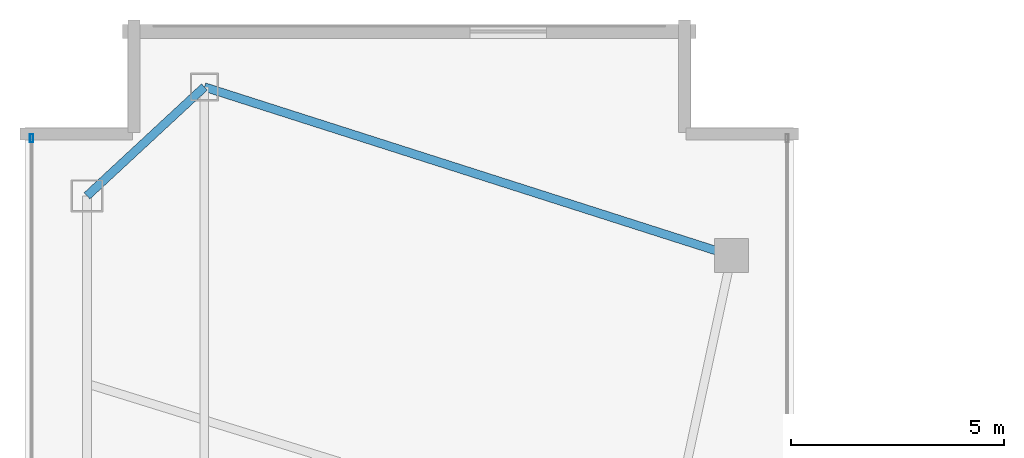
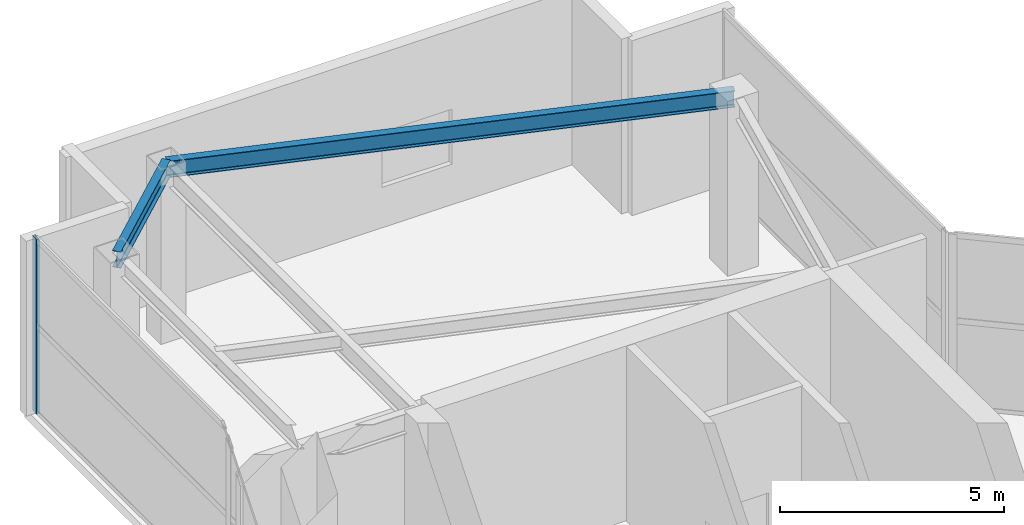
# One storey, part 16 of 21: 2 beams, 1 member, 1 element without a shape of its own.
"""IFC4 building model written with IfcOpenShell, lengths in metres."""

from ifc_helpers import new_model, si_unit, direction, frame, origin, origin_2d, place, context, subcontext, project, spatial, hollow_rectangle, i_section, extrude, material, layer, layer_set, material_profile, profile_set, type_object, element, aggregate, save


model = new_model("IFC4")

# Units and contexts
model_context = context("Model", 3, precision=1e-05, world=origin(), true_north=direction((0.0, 1.0)))
body_context = subcontext(model_context, "Body", "Model", "MODEL_VIEW")
ifc_project = project(units=[si_unit("LENGTHUNIT", "METRE"), si_unit("AREAUNIT", "SQUARE_METRE"), si_unit("VOLUMEUNIT", "CUBIC_METRE"), si_unit("PLANEANGLEUNIT", "RADIAN"), si_unit("MASSUNIT", "GRAM", prefix="KILO")], contexts=[model_context])

# Site, building, storey
site_placement = place(None, origin())
site = spatial("IfcSite", under=ifc_project, at=site_placement, CompositionType="ELEMENT")
building_placement = place(site_placement, origin())
building = spatial("IfcBuilding", under=site, at=building_placement, Name="Calvorn Quay Hotel", CompositionType="ELEMENT")
storey_placement = place(building_placement, frame((0.0, 0.0, 320.5)))
storey = spatial("IfcBuildingStorey", under=building, at=storey_placement, Name="L79", CompositionType="ELEMENT", Elevation=320.5)

# Beams
ifc_material_1 = material(Name="Steel Q355B", Category="steel")
ifc_material_profile_1 = material_profile(ifc_material_1, i_section(OverallWidth=0.199951171875, OverallDepth=0.449951171875, WebThickness=0.009033203125, FlangeThickness=0.013916015625, FilletRadius=0.01611328125, at=origin_2d()), Name="HN450x200x9x14")
ifc_profile_set_1 = profile_set([ifc_material_profile_1], Name="Steel Q355B")
beam_type = type_object("IfcBeamType", Name="BM-SPANDREL-Z3", PredefinedType="SPANDREL", material=ifc_profile_set_1)
beam_1_placement = place(storey_placement, frame((1.449951171875, 47.0, 4.514892578125), z_axis=(0.733261665538, 0.679946563969, 0.0), x_axis=(-0.679946563969, 0.733261665538, 0.0)))
element("IfcBeam", 1, at=beam_1_placement, inside=storey, type_object=beam_type, Name="Beam BSP-L79-W5", PredefinedType="SPANDREL", context=body_context, shape_type="SweptSolid", body=[
    extrude(i_section(OverallWidth=0.199951171875, OverallDepth=0.449951171875, WebThickness=0.009033203125, FlangeThickness=0.013916015625, FilletRadius=0.01611328125, at=origin_2d()), origin(), (0.0, 0.0, 1.0), 3.75048828125),
])
beam_2_placement = place(storey_placement, frame((4.199951171875, 49.550048828125, 4.514892578125), z_axis=(0.952470702374, -0.304630203885, 0.0), x_axis=(0.304630203885, 0.952470702374, 0.0)))
element("IfcBeam", 2, at=beam_2_placement, inside=storey, type_object=beam_type, Name="Beam BSP-L79-W6", PredefinedType="SPANDREL", context=body_context, shape_type="SweptSolid", body=[
    extrude(i_section(OverallWidth=0.199951171875, OverallDepth=0.449951171875, WebThickness=0.009033203125, FlangeThickness=0.013916015625, FilletRadius=0.01611328125, at=origin_2d()), origin(), (0.0, 0.0, 1.0), 12.96630859375),
])

# Curtain wall, member
ifc_material_2 = material(Name="Pale Anodised Aluminium and Laminated Glass", Category="aluminium")
ifc_layer = layer(ifc_material_2, 0.219970703125)
ifc_layer_set = layer_set([ifc_layer], Name="CW-SYS-CRN")
curtain_wall_type = type_object("IfcCurtainWallType", Name="CW-SYS-CRN", PredefinedType="NOTDEFINED", material=ifc_layer_set)
curtain_wall_placement = place(storey_placement, origin())
curtain_wall = element("IfcCurtainWall", 3, at=curtain_wall_placement, inside=storey, type_object=curtain_wall_type, Name="Crown Curtain Wall L79-C5", PredefinedType="NOTDEFINED")
ifc_material_3 = material(Name="Pale Anodised Aluminium 6063-T6", Category="aluminium")
ifc_material_profile_2 = material_profile(ifc_material_3, hollow_rectangle(XDim=0.072021484375, YDim=0.195068359375, WallThickness=0.00390625, at=origin_2d()), Name="ALU-M195x72x4")
ifc_profile_set_2 = profile_set([ifc_material_profile_2], Name="Pale Anodised Aluminium 6063-T6")
member_type = type_object("IfcMemberType", Name="CW-SYS-CRN-MUL", PredefinedType="MULLION", material=ifc_profile_set_2)
member_placement = place(storey_placement, frame((0.14990234375, 48.35009765625, 0.0), z_axis=(0.0, 0.0, 1.0), x_axis=(1.0, 0.0, 0.0)))
member = element("IfcMember", 4, at=member_placement, type_object=member_type, Name="CW-L79-C5 mullion 1", PredefinedType="MULLION", context=body_context, shape_type="SweptSolid", body=[
    extrude(hollow_rectangle(XDim=0.072021484375, YDim=0.195068359375, WallThickness=0.00390625, at=origin_2d()), origin(), (0.0, 0.0, 1.0), 4.760009765625),
])
aggregate(curtain_wall, [member])

save(model, "model.ifc")
